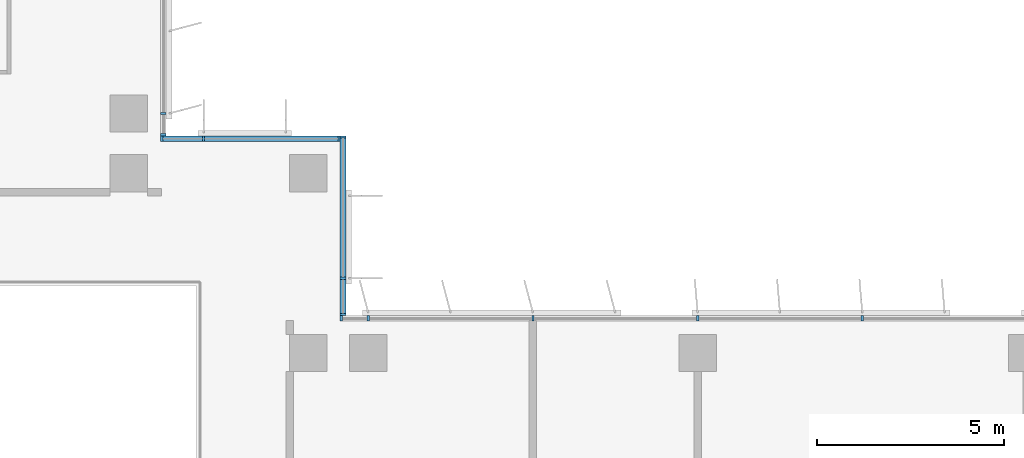
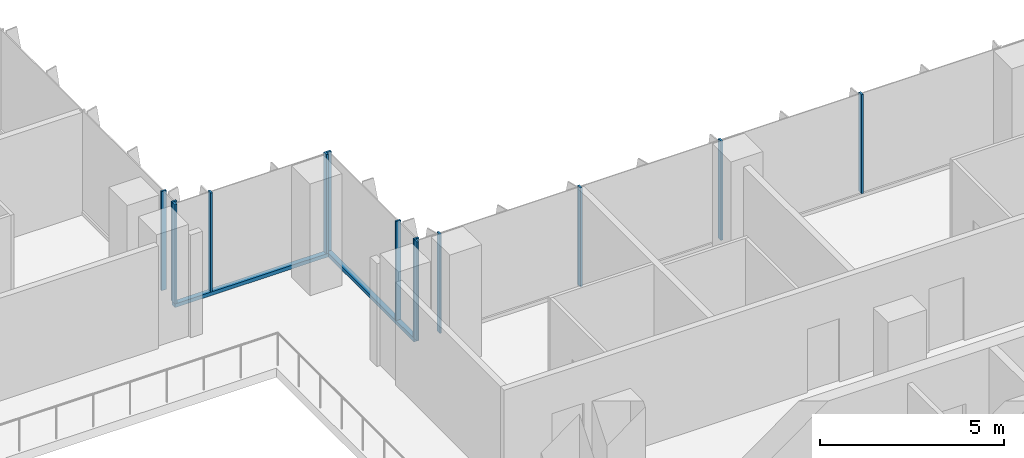
# One storey, part 2 of 20: 15 members, 4 elements without a shape of their own.
"""IFC4 building model written with IfcOpenShell, lengths in metres."""

from ifc_helpers import new_model, si_unit, direction, frame, origin, origin_2d, place, context, subcontext, project, spatial, rectangle, extrude, source, transform, mapped, material, material_profile, profile_set, type_object, element, aggregate, save


model = new_model("IFC4")

# Units and contexts
model_context = context("Model", 3, precision=1e-05, world=origin(), true_north=direction((0.0, 1.0)))
body_context = subcontext(model_context, "Body", "Model", "MODEL_VIEW")
ifc_project = project(units=[si_unit("LENGTHUNIT", "METRE"), si_unit("AREAUNIT", "SQUARE_METRE"), si_unit("VOLUMEUNIT", "CUBIC_METRE"), si_unit("PLANEANGLEUNIT", "RADIAN"), si_unit("MASSUNIT", "GRAM", prefix="KILO")], contexts=[model_context])

# Site, building, storey
site_placement = place(None, origin())
site = spatial("IfcSite", under=ifc_project, at=site_placement, CompositionType="ELEMENT")
building_placement = place(site_placement, origin())
building = spatial("IfcBuilding", under=site, at=building_placement, Name="Kemantara Hotel Tower", CompositionType="ELEMENT")
storey_placement = place(building_placement, frame((0.0, 0.0, 186.39990234375)))
storey = spatial("IfcBuildingStorey", under=building, at=storey_placement, Name="L46", CompositionType="ELEMENT", Elevation=186.39990234375)

# Curtain wall, member
ifc_material_1 = material(Name="Low-E tinted double insulated glass 36 mm", Category="glass")
curtain_wall_type = type_object("IfcCurtainWallType", Name="TOWER CURTAIN WALL, FRONT FACES", PredefinedType="USERDEFINED", material=ifc_material_1)
curtain_wall_1_placement = place(storey_placement, origin())
curtain_wall_1 = element("IfcCurtainWall", 1, at=curtain_wall_1_placement, inside=storey, type_object=curtain_wall_type, Name="CW4 L46 T3-R15-1", ObjectType="TOWER CURTAIN WALL, FRONT FACES", PredefinedType="USERDEFINED")
ifc_material_2 = material(Name="Aluminium 6063-T6 bronze anodised", Category="aluminium")
ifc_material_profile_1 = material_profile(ifc_material_2, rectangle(XDim=0.14990234375, YDim=0.1201171875, at=origin_2d()), Name="TOWER CURTAIN WALL, FRONT FACES TRANSOM")
ifc_profile_set_1 = profile_set([ifc_material_profile_1], Name="Aluminium 6063-T6 bronze anodised")
member_type_1 = type_object("IfcMemberType", Name="TOWER CURTAIN WALL, FRONT FACES TRANSOM", PredefinedType="USERDEFINED", material=ifc_profile_set_1)
member_1_placement = place(storey_placement, frame((26.72509765625, 22.0, 0.06005859375), z_axis=(0.0, 1.0, 0.0), x_axis=(-1.0, 0.0, 0.0)))
member_1 = element("IfcMember", 2, at=member_1_placement, type_object=member_type_1, Name="CW4 sill transom T3-R15-1", ObjectType="TRANSOM", PredefinedType="USERDEFINED", context=body_context, shape_type="SweptSolid", body=[
    extrude(rectangle(XDim=0.14990234375, YDim=0.1201171875, at=origin_2d()), origin(), (0.0, 0.0, 1.0), 4.800048828125),
])

curtain_wall_2_placement = place(storey_placement, origin())
curtain_wall_2 = element("IfcCurtainWall", 3, at=curtain_wall_2_placement, inside=storey, type_object=curtain_wall_type, Name="CW4 L46 T3-R16-1", ObjectType="TOWER CURTAIN WALL, FRONT FACES", PredefinedType="USERDEFINED")
member_2_placement = place(storey_placement, frame((26.64990234375, 26.72509765625, 0.06005859375), z_axis=(-1.0, 0.0, 0.0), x_axis=(0.0, -1.0, 0.0)))
member_2 = element("IfcMember", 4, at=member_2_placement, type_object=member_type_1, Name="CW4 sill transom T3-R16-1", ObjectType="TRANSOM", PredefinedType="USERDEFINED", context=body_context, shape_type="SweptSolid", body=[
    extrude(rectangle(XDim=0.14990234375, YDim=0.1201171875, at=origin_2d()), origin(), (0.0, 0.0, 1.0), 4.7998046875),
])

# Curtain wall, members
curtain_wall_3_placement = place(storey_placement, origin())
curtain_wall_3 = element("IfcCurtainWall", 5, at=curtain_wall_3_placement, inside=storey, type_object=curtain_wall_type, Name="CW4 L46 T3-R14-1", ObjectType="TOWER CURTAIN WALL, FRONT FACES", PredefinedType="USERDEFINED")
ifc_material_profile_2 = material_profile(ifc_material_2, rectangle(XDim=0.14990234375, YDim=0.06005859375, at=origin_2d()), Name="TOWER CURTAIN WALL, FRONT FACES MULLION")
ifc_profile_set_2 = profile_set([ifc_material_profile_2], Name="Aluminium 6063-T6 bronze anodised")
member_type_2 = type_object("IfcMemberType", Name="TOWER CURTAIN WALL, FRONT FACES MULLION", PredefinedType="MULLION", material=ifc_profile_set_2)
shared_shape = source(origin(), body_context, "Body", "SweptSolid", [
    extrude(rectangle(XDim=0.14990234375, YDim=0.06005859375, at=origin_2d()), origin(), (0.0, 0.0, 1.0), 3.280029296875),
])
member_3_placement = place(storey_placement, frame((40.60009765625, 21.925048828125, 0.1201171875), z_axis=(0.0, 0.0, 1.0), x_axis=(0.0, -1.0, 0.0)))
member_3 = element("IfcMember", 6, at=member_3_placement, type_object=member_type_2, Name="CW4 mullion T3-R14-1.6", PredefinedType="MULLION", context=body_context, shape_type="MappedRepresentation", body=[
    mapped(shared_shape, transform((0.0, 0.0, 0.0))),
])
member_4_placement = place(storey_placement, frame((36.199951171875, 21.925048828125, 0.1201171875), z_axis=(0.0, 0.0, 1.0), x_axis=(0.0, -1.0, 0.0)))
member_4 = element("IfcMember", 7, at=member_4_placement, type_object=member_type_2, Name="CW4 mullion T3-R14-1.7", PredefinedType="MULLION", context=body_context, shape_type="MappedRepresentation", body=[
    mapped(shared_shape, transform((0.0, 0.0, 0.0))),
])
member_5_placement = place(storey_placement, frame((31.800048828125, 21.925048828125, 0.1201171875), z_axis=(0.0, 0.0, 1.0), x_axis=(0.0, -1.0, 0.0)))
member_5 = element("IfcMember", 8, at=member_5_placement, type_object=member_type_2, Name="CW4 mullion T3-R14-1.8", PredefinedType="MULLION", context=body_context, shape_type="MappedRepresentation", body=[
    mapped(shared_shape, transform((0.0, 0.0, 0.0))),
])
member_6_placement = place(storey_placement, frame((27.39990234375, 21.925048828125, 0.1201171875), z_axis=(0.0, 0.0, 1.0), x_axis=(0.0, -1.0, 0.0)))
member_6 = element("IfcMember", 9, at=member_6_placement, type_object=member_type_2, Name="CW4 mullion T3-R14-1.9", PredefinedType="MULLION", context=body_context, shape_type="MappedRepresentation", body=[
    mapped(shared_shape, transform((0.0, 0.0, 0.0))),
])
member_7_placement = place(storey_placement, frame((26.679931640625, 21.925048828125, 0.1201171875), z_axis=(0.0, 0.0, 1.0), x_axis=(0.0, -1.0, 0.0)))
member_7 = element("IfcMember", 10, at=member_7_placement, type_object=member_type_2, Name="CW4 mullion T3-R14-1.10", PredefinedType="MULLION", context=body_context, shape_type="MappedRepresentation", body=[
    mapped(shared_shape, transform((0.0, 0.0, 0.0))),
])
aggregate(curtain_wall_3, [member_3, member_4, member_5, member_6, member_7])

# Member
member_8_placement = place(storey_placement, frame((26.72509765625, 22.030029296875, 0.1201171875), z_axis=(0.0, 0.0, 1.0), x_axis=(-1.0, 0.0, 0.0)))
member_8 = element("IfcMember", 11, at=member_8_placement, type_object=member_type_2, Name="CW4 mullion T3-R15-1.1", PredefinedType="MULLION", context=body_context, shape_type="MappedRepresentation", body=[
    mapped(shared_shape, transform((0.0, 0.0, 0.0))),
])

member_9_placement = place(storey_placement, frame((26.72509765625, 23.0, 0.1201171875), z_axis=(0.0, 0.0, 1.0), x_axis=(-1.0, 0.0, 0.0)))
member_9 = element("IfcMember", 12, at=member_9_placement, type_object=member_type_2, Name="CW4 mullion T3-R15-1.2", PredefinedType="MULLION", context=body_context, shape_type="MappedRepresentation", body=[
    mapped(shared_shape, transform((0.0, 0.0, 0.0))),
])

member_10_placement = place(storey_placement, frame((26.72509765625, 26.77001953125, 0.1201171875), z_axis=(0.0, 0.0, 1.0), x_axis=(-1.0, 0.0, 0.0)))
member_10 = element("IfcMember", 13, at=member_10_placement, type_object=member_type_2, Name="CW4 mullion T3-R15-1.3", PredefinedType="MULLION", context=body_context, shape_type="MappedRepresentation", body=[
    mapped(shared_shape, transform((0.0, 0.0, 0.0))),
])

aggregate(curtain_wall_1, [member_1, member_8, member_9, member_10])

member_11_placement = place(storey_placement, frame((26.6201171875, 26.72509765625, 0.1201171875), z_axis=(0.0, 0.0, 1.0), x_axis=(0.0, -1.0, 0.0)))
member_11 = element("IfcMember", 14, at=member_11_placement, type_object=member_type_2, Name="CW4 mullion T3-R16-1.1", PredefinedType="MULLION", context=body_context, shape_type="MappedRepresentation", body=[
    mapped(shared_shape, transform((0.0, 0.0, 0.0))),
])

member_12_placement = place(storey_placement, frame((23.0, 26.72509765625, 0.1201171875), z_axis=(0.0, 0.0, 1.0), x_axis=(0.0, -1.0, 0.0)))
member_12 = element("IfcMember", 15, at=member_12_placement, type_object=member_type_2, Name="CW4 mullion T3-R16-1.2", PredefinedType="MULLION", context=body_context, shape_type="MappedRepresentation", body=[
    mapped(shared_shape, transform((0.0, 0.0, 0.0))),
])

member_13_placement = place(storey_placement, frame((21.8798828125, 26.72509765625, 0.1201171875), z_axis=(0.0, 0.0, 1.0), x_axis=(0.0, -1.0, 0.0)))
member_13 = element("IfcMember", 16, at=member_13_placement, type_object=member_type_2, Name="CW4 mullion T3-R16-1.3", PredefinedType="MULLION", context=body_context, shape_type="MappedRepresentation", body=[
    mapped(shared_shape, transform((0.0, 0.0, 0.0))),
])

aggregate(curtain_wall_2, [member_2, member_11, member_12, member_13])

# Curtain wall, members
curtain_wall_4_placement = place(storey_placement, origin())
curtain_wall_4 = element("IfcCurtainWall", 17, at=curtain_wall_4_placement, inside=storey, type_object=curtain_wall_type, Name="CW4 L46 T3-R17-1", ObjectType="TOWER CURTAIN WALL, FRONT FACES", PredefinedType="USERDEFINED")
member_14_placement = place(storey_placement, frame((21.925048828125, 26.830078125, 0.1201171875), z_axis=(0.0, 0.0, 1.0), x_axis=(-1.0, 0.0, 0.0)))
member_14 = element("IfcMember", 18, at=member_14_placement, type_object=member_type_2, Name="CW4 mullion T3-R17-1.1", PredefinedType="MULLION", context=body_context, shape_type="MappedRepresentation", body=[
    mapped(shared_shape, transform((0.0, 0.0, 0.0))),
])
member_15_placement = place(storey_placement, frame((21.925048828125, 27.39990234375, 0.1201171875), z_axis=(0.0, 0.0, 1.0), x_axis=(-1.0, 0.0, 0.0)))
member_15 = element("IfcMember", 19, at=member_15_placement, type_object=member_type_2, Name="CW4 mullion T3-R17-1.2", PredefinedType="MULLION", context=body_context, shape_type="MappedRepresentation", body=[
    mapped(shared_shape, transform((0.0, 0.0, 0.0))),
])
aggregate(curtain_wall_4, [member_14, member_15])

save(model, "model.ifc")
